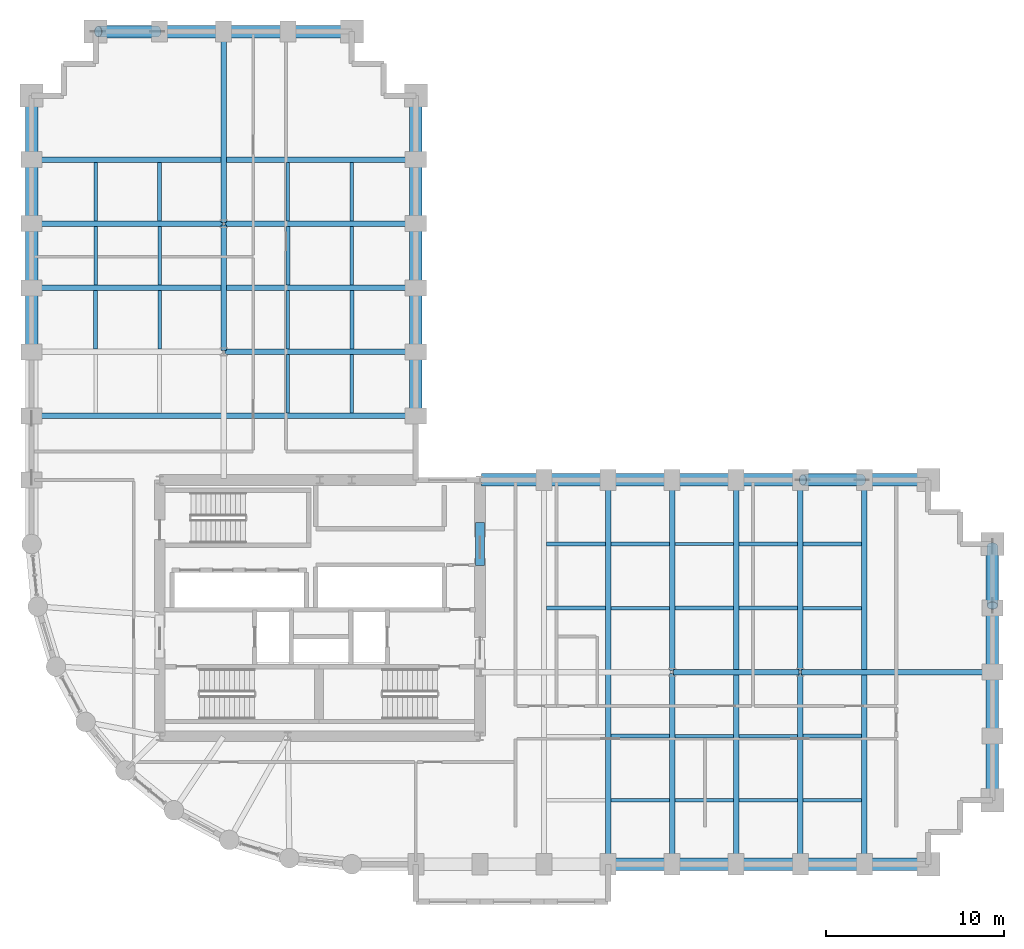
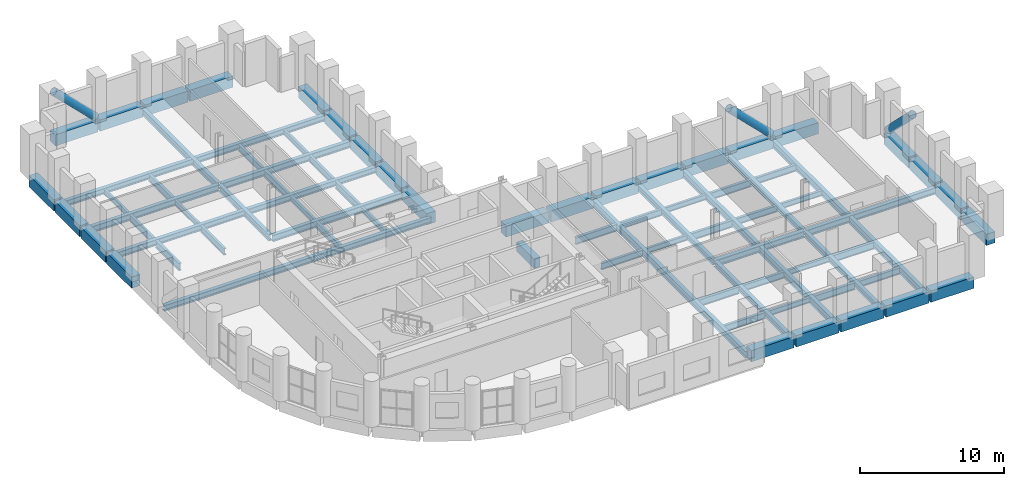
# One storey, part 5 of 12: 79 beams, 3 members.
"""IFC4 building model written with IfcOpenShell, lengths in metres."""

from ifc_helpers import new_model, si_unit, direction, frame, origin, origin_2d, place, context, subcontext, project, spatial, rectangle, hollow_circle, i_section, extrude, material, material_profile, profile_set, type_object, element, save


model = new_model("IFC4")

# Units and contexts
model_context = context("Model", 3, precision=1e-05, world=origin(), true_north=direction((0.0, 1.0)))
body_context = subcontext(model_context, "Body", "Model", "MODEL_VIEW")
ifc_project = project(units=[si_unit("LENGTHUNIT", "METRE"), si_unit("AREAUNIT", "SQUARE_METRE"), si_unit("VOLUMEUNIT", "CUBIC_METRE"), si_unit("PLANEANGLEUNIT", "RADIAN"), si_unit("MASSUNIT", "GRAM", prefix="KILO")], contexts=[model_context])

# Site, building, storey
site_placement = place(None, origin())
site = spatial("IfcSite", under=ifc_project, at=site_placement, CompositionType="ELEMENT")
building_placement = place(site_placement, origin())
building = spatial("IfcBuilding", under=site, at=building_placement, Name="Solnavia Interchange Tower", CompositionType="ELEMENT")
storey_placement = place(building_placement, frame((0.0, 0.0, 27.89990234375)))
storey = spatial("IfcBuildingStorey", under=building, at=storey_placement, Name="L06", CompositionType="ELEMENT", Elevation=27.89990234375)

# Beams
ifc_material_1 = material(Name="Concrete C50/60", Category="concrete")
ifc_material_profile_1 = material_profile(ifc_material_1, rectangle(XDim=0.5, YDim=0.800048828125, at=origin_2d()), Name="RC 500x800")
ifc_profile_set_1 = profile_set([ifc_material_profile_1], Name="Concrete C50/60")
beam_type_1 = type_object("IfcBeamType", Name="Beam-Coupling-RC500x800", PredefinedType="LINTEL", material=ifc_profile_set_1)
beam_1_placement = place(storey_placement, frame((32.39990234375, 20.39990234375, -0.39990234375), z_axis=(0.0, 1.0, 0.0), x_axis=(-1.0, 0.0, 0.0)))
element("IfcBeam", 1, at=beam_1_placement, inside=storey, type_object=beam_type_1, Name="CPB-L06-E2 Core coupling lintel beam", PredefinedType="LINTEL", context=body_context, shape_type="SweptSolid", body=[
    extrude(rectangle(XDim=0.5, YDim=0.800048828125, at=origin_2d()), origin(), (0.0, 0.0, 1.0), 2.400146484375),
])
ifc_material_2 = material(Name="Steel S460", Category="steel")
ifc_material_profile_2 = material_profile(ifc_material_2, i_section(OverallWidth=0.300048828125, OverallDepth=0.550048828125, WebThickness=0.014892578125, FlangeThickness=0.029052734375, FilletRadius=0.027099609375, at=origin_2d()), Name="HEB 550")
ifc_profile_set_2 = profile_set([ifc_material_profile_2], Name="Steel S460")
beam_type_2 = type_object("IfcBeamType", Name="Beam-Girder-HEB550", PredefinedType="BEAM", material=ifc_profile_set_2)
beam_2_placement = place(storey_placement, frame((43.280029296875, 14.39990234375, -0.52490234375), z_axis=(1.0, 0.0, 0.0), x_axis=(0.0, 1.0, 0.0)))
element("IfcBeam", 2, at=beam_2_placement, inside=storey, type_object=beam_type_2, Name="GRD-L06-ES02 East wing spine girder", PredefinedType="BEAM", context=body_context, shape_type="SweptSolid", body=[
    extrude(i_section(OverallWidth=0.300048828125, OverallDepth=0.550048828125, WebThickness=0.014892578125, FlangeThickness=0.029052734375, FilletRadius=0.027099609375, at=origin_2d()), origin(), (0.0, 0.0, 1.0), 7.0400390625),
])
beam_3_placement = place(storey_placement, frame((50.47998046875, 14.39990234375, -0.52490234375), z_axis=(1.0, 0.0, 0.0), x_axis=(0.0, 1.0, 0.0)))
element("IfcBeam", 3, at=beam_3_placement, inside=storey, type_object=beam_type_2, Name="GRD-L06-ES03 East wing spine girder", PredefinedType="BEAM", context=body_context, shape_type="SweptSolid", body=[
    extrude(i_section(OverallWidth=0.300048828125, OverallDepth=0.550048828125, WebThickness=0.014892578125, FlangeThickness=0.029052734375, FilletRadius=0.027099609375, at=origin_2d()), origin(), (0.0, 0.0, 1.0), 10.64013671875),
])
beam_4_placement = place(storey_placement, frame((18.0, 32.47998046875, -0.52490234375), z_axis=(0.0, 1.0, 0.0), x_axis=(-1.0, 0.0, 0.0)))
element("IfcBeam", 4, at=beam_4_placement, inside=storey, type_object=beam_type_2, Name="GRD-L06-NS13 North wing spine girder", PredefinedType="BEAM", context=body_context, shape_type="SweptSolid", body=[
    extrude(i_section(OverallWidth=0.300048828125, OverallDepth=0.550048828125, WebThickness=0.014892578125, FlangeThickness=0.029052734375, FilletRadius=0.027099609375, at=origin_2d()), origin(), (0.0, 0.0, 1.0), 7.0400390625),
])
beam_5_placement = place(storey_placement, frame((18.0, 39.679931640625, -0.52490234375), z_axis=(0.0, 1.0, 0.0), x_axis=(-1.0, 0.0, 0.0)))
element("IfcBeam", 5, at=beam_5_placement, inside=storey, type_object=beam_type_2, Name="GRD-L06-NS14 North wing spine girder", PredefinedType="BEAM", context=body_context, shape_type="SweptSolid", body=[
    extrude(i_section(OverallWidth=0.300048828125, OverallDepth=0.550048828125, WebThickness=0.014892578125, FlangeThickness=0.029052734375, FilletRadius=0.027099609375, at=origin_2d()), origin(), (0.0, 0.0, 1.0), 10.64013671875),
])
for number, where, z_axis, x_axis, name in (
    (6, (18.080078125, 32.39990234375, -0.52490234375), (1.0, 0.0, 0.0), (0.0, 1.0, 0.0), "GRD-L06-NW17 North wing primary floor girder"),
    (7, (7.280029296875, 39.60009765625, -0.52490234375), (1.0, 0.0, 0.0), (0.0, 1.0, 0.0), "GRD-L06-NW19 North wing primary floor girder"),
    (8, (18.080078125, 39.60009765625, -0.52490234375), (1.0, 0.0, 0.0), (0.0, 1.0, 0.0), "GRD-L06-NW20 North wing primary floor girder"),
):
    element("IfcBeam", number, at=place(storey_placement, frame(where, z_axis=z_axis, x_axis=x_axis)), inside=storey, type_object=beam_type_2, Name=name, PredefinedType="BEAM", context=body_context, shape_type="SweptSolid", body=[
        extrude(i_section(OverallWidth=0.300048828125, OverallDepth=0.550048828125, WebThickness=0.014892578125, FlangeThickness=0.029052734375, FilletRadius=0.027099609375, at=origin_2d()), origin(), (0.0, 0.0, 1.0), 10.639892578125),
    ])
ifc_material_3 = material(Name="Steel S355", Category="steel")
ifc_material_profile_3 = material_profile(ifc_material_3, i_section(OverallWidth=0.18994140625, OverallDepth=0.449951171875, WebThickness=0.009521484375, FlangeThickness=0.0146484375, FilletRadius=0.02099609375, at=origin_2d()), Name="IPE 450")
ifc_profile_set_3 = profile_set([ifc_material_profile_3], Name="Steel S355")
beam_type_3 = type_object("IfcBeamType", Name="Beam-Joist-IPE450", PredefinedType="JOIST", material=ifc_profile_set_3)
beam_6_placement = place(storey_placement, frame((43.35009765625, 7.199951171875, -0.474853515625), z_axis=(1.0, 0.0, 0.0), x_axis=(0.0, 1.0, 0.0)))
element("IfcBeam", 9, at=beam_6_placement, inside=storey, type_object=beam_type_3, Name="JST-L06-E03 East wing secondary joist", PredefinedType="JOIST", context=body_context, shape_type="SweptSolid", body=[
    extrude(i_section(OverallWidth=0.18994140625, OverallDepth=0.449951171875, WebThickness=0.009521484375, FlangeThickness=0.0146484375, FilletRadius=0.02099609375, at=origin_2d()), origin(), (0.0, 0.0, 1.0), 3.2998046875),
])
for number, where, z_axis, x_axis, name in (
    (10, (46.949951171875, 10.800048828125, -0.474853515625), (1.0, 0.0, 0.0), (0.0, 1.0, 0.0), "JST-L06-E09 East wing secondary joist"),
    (11, (39.75, 18.0, -0.474853515625), (1.0, 0.0, 0.0), (0.0, 1.0, 0.0), "JST-L06-E12 East wing secondary joist"),
    (12, (50.550048828125, 18.0, -0.474853515625), (1.0, 0.0, 0.0), (0.0, 1.0, 0.0), "JST-L06-E15 East wing secondary joist"),
):
    element("IfcBeam", number, at=place(storey_placement, frame(where, z_axis=z_axis, x_axis=x_axis)), inside=storey, type_object=beam_type_3, Name=name, PredefinedType="JOIST", context=body_context, shape_type="SweptSolid", body=[
        extrude(i_section(OverallWidth=0.18994140625, OverallDepth=0.449951171875, WebThickness=0.009521484375, FlangeThickness=0.0146484375, FilletRadius=0.02099609375, at=origin_2d()), origin(), (0.0, 0.0, 1.0), 3.300048828125),
    ])
beam_7_placement = place(storey_placement, frame((43.35009765625, 21.60009765625, -0.474853515625), z_axis=(1.0, 0.0, 0.0), x_axis=(0.0, 1.0, 0.0)))
element("IfcBeam", 13, at=beam_7_placement, inside=storey, type_object=beam_type_3, Name="JST-L06-E18 East wing secondary joist", PredefinedType="JOIST", context=body_context, shape_type="SweptSolid", body=[
    extrude(i_section(OverallWidth=0.18994140625, OverallDepth=0.449951171875, WebThickness=0.009521484375, FlangeThickness=0.0146484375, FilletRadius=0.02099609375, at=origin_2d()), origin(), (0.0, 0.0, 1.0), 3.2998046875),
])
for number, where, z_axis, x_axis, name in (
    (14, (10.800048828125, 39.75, -0.474853515625), (0.0, 1.0, 0.0), (-1.0, 0.0, 0.0), "JST-L06-N24 North wing secondary joist"),
    (15, (14.39990234375, 36.14990234375, -0.474853515625), (0.0, 1.0, 0.0), (-1.0, 0.0, 0.0), "JST-L06-N27 North wing secondary joist"),
    (16, (21.60009765625, 32.550048828125, -0.474853515625), (0.0, 1.0, 0.0), (-1.0, 0.0, 0.0), "JST-L06-N30 North wing secondary joist"),
    (17, (25.199951171875, 28.949951171875, -0.474853515625), (0.0, 1.0, 0.0), (-1.0, 0.0, 0.0), "JST-L06-N33 North wing secondary joist"),
    (18, (25.199951171875, 39.75, -0.474853515625), (0.0, 1.0, 0.0), (-1.0, 0.0, 0.0), "JST-L06-N36 North wing secondary joist"),
):
    element("IfcBeam", number, at=place(storey_placement, frame(where, z_axis=z_axis, x_axis=x_axis)), inside=storey, type_object=beam_type_3, Name=name, PredefinedType="JOIST", context=body_context, shape_type="SweptSolid", body=[
        extrude(i_section(OverallWidth=0.18994140625, OverallDepth=0.449951171875, WebThickness=0.009521484375, FlangeThickness=0.0146484375, FilletRadius=0.02099609375, at=origin_2d()), origin(), (0.0, 0.0, 1.0), 3.300048828125),
    ])
ifc_material_profile_4 = material_profile(ifc_material_3, i_section(OverallWidth=0.2099609375, OverallDepth=0.550048828125, WebThickness=0.010986328125, FlangeThickness=0.01708984375, FilletRadius=0.02392578125, at=origin_2d()), Name="IPE 550")
ifc_profile_set_4 = profile_set([ifc_material_profile_4], Name="Steel S355")
beam_type_4 = type_object("IfcBeamType", Name="Beam-Joist-IPE550", PredefinedType="JOIST", material=ifc_profile_set_4)
for number, where, z_axis, x_axis, name in (
    (19, (39.75, 7.199951171875, -0.52490234375), (1.0, 0.0, 0.0), (0.0, 1.0, 0.0), "JST-L06-E02 East wing secondary joist"),
    (20, (50.550048828125, 7.199951171875, -0.52490234375), (1.0, 0.0, 0.0), (0.0, 1.0, 0.0), "JST-L06-E05 East wing secondary joist"),
):
    element("IfcBeam", number, at=place(storey_placement, frame(where, z_axis=z_axis, x_axis=x_axis)), inside=storey, type_object=beam_type_4, Name=name, PredefinedType="JOIST", context=body_context, shape_type="SweptSolid", body=[
        extrude(i_section(OverallWidth=0.2099609375, OverallDepth=0.550048828125, WebThickness=0.010986328125, FlangeThickness=0.01708984375, FilletRadius=0.02392578125, at=origin_2d()), origin(), (0.0, 0.0, 1.0), 3.300048828125),
    ])
beam_8_placement = place(storey_placement, frame((43.35009765625, 10.800048828125, -0.52490234375), z_axis=(1.0, 0.0, 0.0), x_axis=(0.0, 1.0, 0.0)))
element("IfcBeam", 21, at=beam_8_placement, inside=storey, type_object=beam_type_4, Name="JST-L06-E08 East wing secondary joist", PredefinedType="JOIST", context=body_context, shape_type="SweptSolid", body=[
    extrude(i_section(OverallWidth=0.2099609375, OverallDepth=0.550048828125, WebThickness=0.010986328125, FlangeThickness=0.01708984375, FilletRadius=0.02392578125, at=origin_2d()), origin(), (0.0, 0.0, 1.0), 3.2998046875),
])
for number, where, z_axis, x_axis, name in (
    (22, (36.14990234375, 18.0, -0.52490234375), (1.0, 0.0, 0.0), (0.0, 1.0, 0.0), "JST-L06-E11 East wing secondary joist"),
    (23, (46.949951171875, 18.0, -0.52490234375), (1.0, 0.0, 0.0), (0.0, 1.0, 0.0), "JST-L06-E14 East wing secondary joist"),
    (24, (39.75, 21.60009765625, -0.52490234375), (1.0, 0.0, 0.0), (0.0, 1.0, 0.0), "JST-L06-E17 East wing secondary joist"),
    (25, (50.550048828125, 21.60009765625, -0.52490234375), (1.0, 0.0, 0.0), (0.0, 1.0, 0.0), "JST-L06-E20 East wing secondary joist"),
    (26, (10.800048828125, 36.14990234375, -0.52490234375), (0.0, 1.0, 0.0), (-1.0, 0.0, 0.0), "JST-L06-N23 North wing secondary joist"),
    (27, (14.39990234375, 32.550048828125, -0.52490234375), (0.0, 1.0, 0.0), (-1.0, 0.0, 0.0), "JST-L06-N26 North wing secondary joist"),
    (28, (21.60009765625, 28.949951171875, -0.52490234375), (0.0, 1.0, 0.0), (-1.0, 0.0, 0.0), "JST-L06-N29 North wing secondary joist"),
    (29, (21.60009765625, 39.75, -0.52490234375), (0.0, 1.0, 0.0), (-1.0, 0.0, 0.0), "JST-L06-N32 North wing secondary joist"),
    (30, (25.199951171875, 36.14990234375, -0.52490234375), (0.0, 1.0, 0.0), (-1.0, 0.0, 0.0), "JST-L06-N35 North wing secondary joist"),
):
    element("IfcBeam", number, at=place(storey_placement, frame(where, z_axis=z_axis, x_axis=x_axis)), inside=storey, type_object=beam_type_4, Name=name, PredefinedType="JOIST", context=body_context, shape_type="SweptSolid", body=[
        extrude(i_section(OverallWidth=0.2099609375, OverallDepth=0.550048828125, WebThickness=0.010986328125, FlangeThickness=0.01708984375, FilletRadius=0.02392578125, at=origin_2d()), origin(), (0.0, 0.0, 1.0), 3.300048828125),
    ])
ifc_material_profile_5 = material_profile(ifc_material_3, i_section(OverallWidth=0.219970703125, OverallDepth=0.60009765625, WebThickness=0.011962890625, FlangeThickness=0.01904296875, FilletRadius=0.02392578125, at=origin_2d()), Name="IPE 600")
ifc_profile_set_5 = profile_set([ifc_material_profile_5], Name="Steel S355")
beam_type_5 = type_object("IfcBeamType", Name="Beam-Joist-IPE600", PredefinedType="JOIST", material=ifc_profile_set_5)
for number, where, z_axis, x_axis, name in (
    (31, (46.949951171875, 7.199951171875, -0.5498046875), (1.0, 0.0, 0.0), (0.0, 1.0, 0.0), "JST-L06-E04 East wing secondary joist"),
    (32, (39.75, 10.800048828125, -0.5498046875), (1.0, 0.0, 0.0), (0.0, 1.0, 0.0), "JST-L06-E07 East wing secondary joist"),
    (33, (50.550048828125, 10.800048828125, -0.5498046875), (1.0, 0.0, 0.0), (0.0, 1.0, 0.0), "JST-L06-E10 East wing secondary joist"),
):
    element("IfcBeam", number, at=place(storey_placement, frame(where, z_axis=z_axis, x_axis=x_axis)), inside=storey, type_object=beam_type_5, Name=name, PredefinedType="JOIST", context=body_context, shape_type="SweptSolid", body=[
        extrude(i_section(OverallWidth=0.219970703125, OverallDepth=0.60009765625, WebThickness=0.011962890625, FlangeThickness=0.01904296875, FilletRadius=0.02392578125, at=origin_2d()), origin(), (0.0, 0.0, 1.0), 3.300048828125),
    ])
beam_9_placement = place(storey_placement, frame((43.35009765625, 18.0, -0.5498046875), z_axis=(1.0, 0.0, 0.0), x_axis=(0.0, 1.0, 0.0)))
element("IfcBeam", 34, at=beam_9_placement, inside=storey, type_object=beam_type_5, Name="JST-L06-E13 East wing secondary joist", PredefinedType="JOIST", context=body_context, shape_type="SweptSolid", body=[
    extrude(i_section(OverallWidth=0.219970703125, OverallDepth=0.60009765625, WebThickness=0.011962890625, FlangeThickness=0.01904296875, FilletRadius=0.02392578125, at=origin_2d()), origin(), (0.0, 0.0, 1.0), 3.2998046875),
])
for number, where, z_axis, x_axis, name in (
    (35, (36.14990234375, 21.60009765625, -0.5498046875), (1.0, 0.0, 0.0), (0.0, 1.0, 0.0), "JST-L06-E16 East wing secondary joist"),
    (36, (46.949951171875, 21.60009765625, -0.5498046875), (1.0, 0.0, 0.0), (0.0, 1.0, 0.0), "JST-L06-E19 East wing secondary joist"),
    (37, (10.800048828125, 32.550048828125, -0.5498046875), (0.0, 1.0, 0.0), (-1.0, 0.0, 0.0), "JST-L06-N22 North wing secondary joist"),
    (38, (14.39990234375, 39.75, -0.5498046875), (0.0, 1.0, 0.0), (-1.0, 0.0, 0.0), "JST-L06-N28 North wing secondary joist"),
    (39, (21.60009765625, 36.14990234375, -0.5498046875), (0.0, 1.0, 0.0), (-1.0, 0.0, 0.0), "JST-L06-N31 North wing secondary joist"),
    (40, (25.199951171875, 32.550048828125, -0.5498046875), (0.0, 1.0, 0.0), (-1.0, 0.0, 0.0), "JST-L06-N34 North wing secondary joist"),
):
    element("IfcBeam", number, at=place(storey_placement, frame(where, z_axis=z_axis, x_axis=x_axis)), inside=storey, type_object=beam_type_5, Name=name, PredefinedType="JOIST", context=body_context, shape_type="SweptSolid", body=[
        extrude(i_section(OverallWidth=0.219970703125, OverallDepth=0.60009765625, WebThickness=0.011962890625, FlangeThickness=0.01904296875, FilletRadius=0.02392578125, at=origin_2d()), origin(), (0.0, 0.0, 1.0), 3.300048828125),
    ])
ifc_material_profile_6 = material_profile(ifc_material_3, i_section(OverallWidth=0.300048828125, OverallDepth=0.489990234375, WebThickness=0.011962890625, FlangeThickness=0.02294921875, FilletRadius=0.027099609375, at=origin_2d()), Name="HEA 500")
ifc_profile_set_6 = profile_set([ifc_material_profile_6], Name="Steel S355")
beam_type_6 = type_object("IfcBeamType", Name="Beam-Primary-HEA500", PredefinedType="BEAM", material=ifc_profile_set_6)
for number, where, z_axis, x_axis, name in (
    (41, (43.199951171875, 3.679931640625, -0.494873046875), (0.0, 1.0, 0.0), (-1.0, 0.0, 0.0), "GRD-L06-EW06 East wing primary floor girder"),
    (42, (43.199951171875, 14.47998046875, -0.494873046875), (0.0, 1.0, 0.0), (-1.0, 0.0, 0.0), "GRD-L06-EW07 East wing primary floor girder"),
    (43, (50.39990234375, 3.679931640625, -0.494873046875), (0.0, 1.0, 0.0), (-1.0, 0.0, 0.0), "GRD-L06-EW09 East wing primary floor girder"),
    (44, (50.39990234375, 14.47998046875, -0.494873046875), (0.0, 1.0, 0.0), (-1.0, 0.0, 0.0), "GRD-L06-EW10 East wing primary floor girder"),
):
    element("IfcBeam", number, at=place(storey_placement, frame(where, z_axis=z_axis, x_axis=x_axis)), inside=storey, type_object=beam_type_6, Name=name, PredefinedType="BEAM", context=body_context, shape_type="SweptSolid", body=[
        extrude(i_section(OverallWidth=0.300048828125, OverallDepth=0.489990234375, WebThickness=0.011962890625, FlangeThickness=0.02294921875, FilletRadius=0.027099609375, at=origin_2d()), origin(), (0.0, 0.0, 1.0), 10.64013671875),
    ])
for number, where, z_axis, x_axis, name in (
    (45, (7.280029296875, 28.800048828125, -0.494873046875), (1.0, 0.0, 0.0), (0.0, 1.0, 0.0), "GRD-L06-NW15 North wing primary floor girder"),
    (46, (7.280029296875, 36.0, -0.494873046875), (1.0, 0.0, 0.0), (0.0, 1.0, 0.0), "GRD-L06-NW18 North wing primary floor girder"),
    (47, (7.280029296875, 43.199951171875, -0.494873046875), (1.0, 0.0, 0.0), (0.0, 1.0, 0.0), "GRD-L06-NW21 North wing primary floor girder"),
):
    element("IfcBeam", number, at=place(storey_placement, frame(where, z_axis=z_axis, x_axis=x_axis)), inside=storey, type_object=beam_type_6, Name=name, PredefinedType="BEAM", context=body_context, shape_type="SweptSolid", body=[
        extrude(i_section(OverallWidth=0.300048828125, OverallDepth=0.489990234375, WebThickness=0.011962890625, FlangeThickness=0.02294921875, FilletRadius=0.027099609375, at=origin_2d()), origin(), (0.0, 0.0, 1.0), 21.43994140625),
    ])
ifc_material_profile_7 = material_profile(ifc_material_3, i_section(OverallWidth=0.300048828125, OverallDepth=0.590087890625, WebThickness=0.012939453125, FlangeThickness=0.02490234375, FilletRadius=0.027099609375, at=origin_2d()), Name="HEA 600")
ifc_profile_set_7 = profile_set([ifc_material_profile_7], Name="Steel S355")
beam_type_7 = type_object("IfcBeamType", Name="Beam-Primary-HEA600", PredefinedType="BEAM", material=ifc_profile_set_7)
for number, where, z_axis, x_axis, name in (
    (48, (39.60009765625, 3.679931640625, -0.544921875), (0.0, 1.0, 0.0), (-1.0, 0.0, 0.0), "GRD-L06-EW05 East wing primary floor girder"),
    (49, (46.800048828125, 3.679931640625, -0.544921875), (0.0, 1.0, 0.0), (-1.0, 0.0, 0.0), "GRD-L06-EW08 East wing primary floor girder"),
    (50, (54.0, 3.679931640625, -0.544921875), (0.0, 1.0, 0.0), (-1.0, 0.0, 0.0), "GRD-L06-EW11 East wing primary floor girder"),
):
    element("IfcBeam", number, at=place(storey_placement, frame(where, z_axis=z_axis, x_axis=x_axis)), inside=storey, type_object=beam_type_7, Name=name, PredefinedType="BEAM", context=body_context, shape_type="SweptSolid", body=[
        extrude(i_section(OverallWidth=0.300048828125, OverallDepth=0.590087890625, WebThickness=0.012939453125, FlangeThickness=0.02490234375, FilletRadius=0.027099609375, at=origin_2d()), origin(), (0.0, 0.0, 1.0), 21.440185546875),
    ])
ifc_material_profile_8 = material_profile(ifc_material_1, rectangle(XDim=0.699951171875, YDim=0.949951171875, at=origin_2d()), Name="RC 700x950")
ifc_profile_set_8 = profile_set([ifc_material_profile_8], Name="Concrete C50/60")
beam_type_8 = type_object("IfcBeamType", Name="Beam-Spandrel-RC700x950", PredefinedType="SPANDREL", material=ifc_profile_set_8)
beam_10_placement = place(storey_placement, frame((39.679931640625, 3.60009765625, -0.474853515625), z_axis=(1.0, 0.0, 0.0), x_axis=(0.0, 1.0, 0.0)))
element("IfcBeam", 51, at=beam_10_placement, inside=storey, type_object=beam_type_8, Name="SPB-L06-13 Framed-tube perimeter spandrel beam", PredefinedType="SPANDREL", context=body_context, shape_type="SweptSolid", body=[
    extrude(rectangle(XDim=0.699951171875, YDim=0.949951171875, at=origin_2d()), origin(), (0.0, 0.0, 1.0), 3.440185546875),
])
beam_11_placement = place(storey_placement, frame((43.280029296875, 3.60009765625, -0.474853515625), z_axis=(1.0, 0.0, 0.0), x_axis=(0.0, 1.0, 0.0)))
element("IfcBeam", 52, at=beam_11_placement, inside=storey, type_object=beam_type_8, Name="SPB-L06-14 Framed-tube perimeter spandrel beam", PredefinedType="SPANDREL", context=body_context, shape_type="SweptSolid", body=[
    extrude(rectangle(XDim=0.699951171875, YDim=0.949951171875, at=origin_2d()), origin(), (0.0, 0.0, 1.0), 3.43994140625),
])
beam_12_placement = place(storey_placement, frame((46.8798828125, 3.60009765625, -0.474853515625), z_axis=(1.0, 0.0, 0.0), x_axis=(0.0, 1.0, 0.0)))
element("IfcBeam", 53, at=beam_12_placement, inside=storey, type_object=beam_type_8, Name="SPB-L06-15 Framed-tube perimeter spandrel beam", PredefinedType="SPANDREL", context=body_context, shape_type="SweptSolid", body=[
    extrude(rectangle(XDim=0.699951171875, YDim=0.949951171875, at=origin_2d()), origin(), (0.0, 0.0, 1.0), 3.440185546875),
])
for number, where, z_axis, x_axis, name in (
    (54, (50.47998046875, 3.60009765625, -0.474853515625), (1.0, 0.0, 0.0), (0.0, 1.0, 0.0), "SPB-L06-16 Framed-tube perimeter spandrel beam"),
    (55, (54.080078125, 3.60009765625, -0.474853515625), (1.0, 0.0, 0.0), (0.0, 1.0, 0.0), "SPB-L06-17 Framed-tube perimeter spandrel beam"),
    (56, (61.199951171875, 7.280029296875, -0.474853515625), (0.0, 1.0, 0.0), (-1.0, 0.0, 0.0), "SPB-L06-18 Framed-tube perimeter spandrel beam"),
):
    element("IfcBeam", number, at=place(storey_placement, frame(where, z_axis=z_axis, x_axis=x_axis)), inside=storey, type_object=beam_type_8, Name=name, PredefinedType="SPANDREL", context=body_context, shape_type="SweptSolid", body=[
        extrude(rectangle(XDim=0.699951171875, YDim=0.949951171875, at=origin_2d()), origin(), (0.0, 0.0, 1.0), 3.43994140625),
    ])
beam_13_placement = place(storey_placement, frame((61.199951171875, 10.8798828125, -0.474853515625), z_axis=(0.0, 1.0, 0.0), x_axis=(-1.0, 0.0, 0.0)))
element("IfcBeam", 57, at=beam_13_placement, inside=storey, type_object=beam_type_8, Name="SPB-L06-19 Framed-tube perimeter spandrel beam", PredefinedType="SPANDREL", context=body_context, shape_type="SweptSolid", body=[
    extrude(rectangle(XDim=0.699951171875, YDim=0.949951171875, at=origin_2d()), origin(), (0.0, 0.0, 1.0), 3.440185546875),
])
for number, where, z_axis, x_axis, name in (
    (58, (61.199951171875, 14.47998046875, -0.474853515625), (0.0, 1.0, 0.0), (-1.0, 0.0, 0.0), "SPB-L06-20 Framed-tube perimeter spandrel beam"),
    (59, (61.199951171875, 18.080078125, -0.474853515625), (0.0, 1.0, 0.0), (-1.0, 0.0, 0.0), "SPB-L06-21 Framed-tube perimeter spandrel beam"),
    (60, (57.52001953125, 25.199951171875, -0.474853515625), (-1.0, 0.0, 0.0), (0.0, -1.0, 0.0), "SPB-L06-22 Framed-tube perimeter spandrel beam"),
    (61, (53.919921875, 25.199951171875, -0.474853515625), (-1.0, 0.0, 0.0), (0.0, -1.0, 0.0), "SPB-L06-23 Framed-tube perimeter spandrel beam"),
):
    element("IfcBeam", number, at=place(storey_placement, frame(where, z_axis=z_axis, x_axis=x_axis)), inside=storey, type_object=beam_type_8, Name=name, PredefinedType="SPANDREL", context=body_context, shape_type="SweptSolid", body=[
        extrude(rectangle(XDim=0.699951171875, YDim=0.949951171875, at=origin_2d()), origin(), (0.0, 0.0, 1.0), 3.43994140625),
    ])
beam_14_placement = place(storey_placement, frame((50.320068359375, 25.199951171875, -0.474853515625), z_axis=(-1.0, 0.0, 0.0), x_axis=(0.0, -1.0, 0.0)))
element("IfcBeam", 62, at=beam_14_placement, inside=storey, type_object=beam_type_8, Name="SPB-L06-24 Framed-tube perimeter spandrel beam", PredefinedType="SPANDREL", context=body_context, shape_type="SweptSolid", body=[
    extrude(rectangle(XDim=0.699951171875, YDim=0.949951171875, at=origin_2d()), origin(), (0.0, 0.0, 1.0), 3.440185546875),
])
beam_15_placement = place(storey_placement, frame((46.719970703125, 25.199951171875, -0.474853515625), z_axis=(-1.0, 0.0, 0.0), x_axis=(0.0, -1.0, 0.0)))
element("IfcBeam", 63, at=beam_15_placement, inside=storey, type_object=beam_type_8, Name="SPB-L06-25 Framed-tube perimeter spandrel beam", PredefinedType="SPANDREL", context=body_context, shape_type="SweptSolid", body=[
    extrude(rectangle(XDim=0.699951171875, YDim=0.949951171875, at=origin_2d()), origin(), (0.0, 0.0, 1.0), 3.43994140625),
])
beam_16_placement = place(storey_placement, frame((43.1201171875, 25.199951171875, -0.474853515625), z_axis=(-1.0, 0.0, 0.0), x_axis=(0.0, -1.0, 0.0)))
element("IfcBeam", 64, at=beam_16_placement, inside=storey, type_object=beam_type_8, Name="SPB-L06-26 Framed-tube perimeter spandrel beam", PredefinedType="SPANDREL", context=body_context, shape_type="SweptSolid", body=[
    extrude(rectangle(XDim=0.699951171875, YDim=0.949951171875, at=origin_2d()), origin(), (0.0, 0.0, 1.0), 3.440185546875),
])
for number, where, z_axis, x_axis, name in (
    (65, (39.52001953125, 25.199951171875, -0.474853515625), (-1.0, 0.0, 0.0), (0.0, -1.0, 0.0), "SPB-L06-27 Framed-tube perimeter spandrel beam"),
    (66, (35.919921875, 25.199951171875, -0.474853515625), (-1.0, 0.0, 0.0), (0.0, -1.0, 0.0), "SPB-L06-28 Framed-tube perimeter spandrel beam"),
):
    element("IfcBeam", number, at=place(storey_placement, frame(where, z_axis=z_axis, x_axis=x_axis)), inside=storey, type_object=beam_type_8, Name=name, PredefinedType="SPANDREL", context=body_context, shape_type="SweptSolid", body=[
        extrude(rectangle(XDim=0.699951171875, YDim=0.949951171875, at=origin_2d()), origin(), (0.0, 0.0, 1.0), 3.43994140625),
    ])
beam_17_placement = place(storey_placement, frame((28.800048828125, 28.8798828125, -0.474853515625), z_axis=(0.0, 1.0, 0.0), x_axis=(-1.0, 0.0, 0.0)))
element("IfcBeam", 67, at=beam_17_placement, inside=storey, type_object=beam_type_8, Name="SPB-L06-29 Framed-tube perimeter spandrel beam", PredefinedType="SPANDREL", context=body_context, shape_type="SweptSolid", body=[
    extrude(rectangle(XDim=0.699951171875, YDim=0.949951171875, at=origin_2d()), origin(), (0.0, 0.0, 1.0), 3.440185546875),
])
for number, where, z_axis, x_axis, name in (
    (68, (28.800048828125, 32.47998046875, -0.474853515625), (0.0, 1.0, 0.0), (-1.0, 0.0, 0.0), "SPB-L06-30 Framed-tube perimeter spandrel beam"),
    (69, (28.800048828125, 36.080078125, -0.474853515625), (0.0, 1.0, 0.0), (-1.0, 0.0, 0.0), "SPB-L06-31 Framed-tube perimeter spandrel beam"),
):
    element("IfcBeam", number, at=place(storey_placement, frame(where, z_axis=z_axis, x_axis=x_axis)), inside=storey, type_object=beam_type_8, Name=name, PredefinedType="SPANDREL", context=body_context, shape_type="SweptSolid", body=[
        extrude(rectangle(XDim=0.699951171875, YDim=0.949951171875, at=origin_2d()), origin(), (0.0, 0.0, 1.0), 3.43994140625),
    ])
beam_18_placement = place(storey_placement, frame((28.800048828125, 39.679931640625, -0.474853515625), z_axis=(0.0, 1.0, 0.0), x_axis=(-1.0, 0.0, 0.0)))
element("IfcBeam", 70, at=beam_18_placement, inside=storey, type_object=beam_type_8, Name="SPB-L06-32 Framed-tube perimeter spandrel beam", PredefinedType="SPANDREL", context=body_context, shape_type="SweptSolid", body=[
    extrude(rectangle(XDim=0.699951171875, YDim=0.949951171875, at=origin_2d()), origin(), (0.0, 0.0, 1.0), 3.440185546875),
])
beam_19_placement = place(storey_placement, frame((28.800048828125, 43.280029296875, -0.474853515625), z_axis=(0.0, 1.0, 0.0), x_axis=(-1.0, 0.0, 0.0)))
element("IfcBeam", 71, at=beam_19_placement, inside=storey, type_object=beam_type_8, Name="SPB-L06-33 Framed-tube perimeter spandrel beam", PredefinedType="SPANDREL", context=body_context, shape_type="SweptSolid", body=[
    extrude(rectangle(XDim=0.699951171875, YDim=0.949951171875, at=origin_2d()), origin(), (0.0, 0.0, 1.0), 3.43994140625),
])
beam_20_placement = place(storey_placement, frame((25.1201171875, 50.39990234375, -0.474853515625), z_axis=(-1.0, 0.0, 0.0), x_axis=(0.0, -1.0, 0.0)))
element("IfcBeam", 72, at=beam_20_placement, inside=storey, type_object=beam_type_8, Name="SPB-L06-34 Framed-tube perimeter spandrel beam", PredefinedType="SPANDREL", context=body_context, shape_type="SweptSolid", body=[
    extrude(rectangle(XDim=0.699951171875, YDim=0.949951171875, at=origin_2d()), origin(), (0.0, 0.0, 1.0), 3.440185546875),
])
for number, where, z_axis, x_axis, name in (
    (73, (21.52001953125, 50.39990234375, -0.474853515625), (-1.0, 0.0, 0.0), (0.0, -1.0, 0.0), "SPB-L06-35 Framed-tube perimeter spandrel beam"),
    (74, (17.919921875, 50.39990234375, -0.474853515625), (-1.0, 0.0, 0.0), (0.0, -1.0, 0.0), "SPB-L06-36 Framed-tube perimeter spandrel beam"),
):
    element("IfcBeam", number, at=place(storey_placement, frame(where, z_axis=z_axis, x_axis=x_axis)), inside=storey, type_object=beam_type_8, Name=name, PredefinedType="SPANDREL", context=body_context, shape_type="SweptSolid", body=[
        extrude(rectangle(XDim=0.699951171875, YDim=0.949951171875, at=origin_2d()), origin(), (0.0, 0.0, 1.0), 3.43994140625),
    ])
beam_21_placement = place(storey_placement, frame((14.320068359375, 50.39990234375, -0.474853515625), z_axis=(-1.0, 0.0, 0.0), x_axis=(0.0, -1.0, 0.0)))
element("IfcBeam", 75, at=beam_21_placement, inside=storey, type_object=beam_type_8, Name="SPB-L06-37 Framed-tube perimeter spandrel beam", PredefinedType="SPANDREL", context=body_context, shape_type="SweptSolid", body=[
    extrude(rectangle(XDim=0.699951171875, YDim=0.949951171875, at=origin_2d()), origin(), (0.0, 0.0, 1.0), 3.440185546875),
])
beam_22_placement = place(storey_placement, frame((7.199951171875, 46.719970703125, -0.474853515625), z_axis=(0.0, -1.0, 0.0), x_axis=(1.0, 0.0, 0.0)))
element("IfcBeam", 76, at=beam_22_placement, inside=storey, type_object=beam_type_8, Name="SPB-L06-38 Framed-tube perimeter spandrel beam", PredefinedType="SPANDREL", context=body_context, shape_type="SweptSolid", body=[
    extrude(rectangle(XDim=0.699951171875, YDim=0.949951171875, at=origin_2d()), origin(), (0.0, 0.0, 1.0), 3.43994140625),
])
beam_23_placement = place(storey_placement, frame((7.199951171875, 43.1201171875, -0.474853515625), z_axis=(0.0, -1.0, 0.0), x_axis=(1.0, 0.0, 0.0)))
element("IfcBeam", 77, at=beam_23_placement, inside=storey, type_object=beam_type_8, Name="SPB-L06-39 Framed-tube perimeter spandrel beam", PredefinedType="SPANDREL", context=body_context, shape_type="SweptSolid", body=[
    extrude(rectangle(XDim=0.699951171875, YDim=0.949951171875, at=origin_2d()), origin(), (0.0, 0.0, 1.0), 3.440185546875),
])
for number, where, z_axis, x_axis, name in (
    (78, (7.199951171875, 39.52001953125, -0.474853515625), (0.0, -1.0, 0.0), (1.0, 0.0, 0.0), "SPB-L06-40 Framed-tube perimeter spandrel beam"),
    (79, (7.199951171875, 35.919921875, -0.474853515625), (0.0, -1.0, 0.0), (1.0, 0.0, 0.0), "SPB-L06-41 Framed-tube perimeter spandrel beam"),
):
    element("IfcBeam", number, at=place(storey_placement, frame(where, z_axis=z_axis, x_axis=x_axis)), inside=storey, type_object=beam_type_8, Name=name, PredefinedType="SPANDREL", context=body_context, shape_type="SweptSolid", body=[
        extrude(rectangle(XDim=0.699951171875, YDim=0.949951171875, at=origin_2d()), origin(), (0.0, 0.0, 1.0), 3.43994140625),
    ])

# Members
ifc_material_profile_9 = material_profile(ifc_material_2, hollow_circle(Radius=0.304931640625, WallThickness=0.02490234375, at=origin_2d()), Name="CHS 610x25")
ifc_profile_set_9 = profile_set([ifc_material_profile_9], Name="Steel S460")
member_type = type_object("IfcMemberType", Name="Brace-Perim-CHS610", PredefinedType="BRACE", material=ifc_profile_set_9)
for number, where, z_axis, x_axis, name in (
    (80, (61.199951171875, 21.4599609375, 0.18017578125), (0.0, -0.710311792477, 0.703887176661), (1.0, 0.0, 0.0), "BRC-L06-02 Perimeter tube diagonal brace"),
    (81, (14.260009765625, 50.39990234375, 0.18017578125), (-0.710311792477, 0.0, 0.703887176661), (0.0, -1.0, 0.0), "BRC-L06-03 Perimeter tube diagonal brace"),
    (82, (53.860107421875, 25.199951171875, 0.18017578125), (-0.710311792477, 0.0, 0.703887176661), (0.0, -1.0, 0.0), "BRC-L06-04 Perimeter tube diagonal brace"),
):
    element("IfcMember", number, at=place(storey_placement, frame(where, z_axis=z_axis, x_axis=x_axis)), inside=storey, type_object=member_type, Name=name, PredefinedType="BRACE", context=body_context, shape_type="SweptSolid", body=[
        extrude(hollow_circle(Radius=0.304931640625, WallThickness=0.02490234375, at=origin_2d()), origin(), (0.0, 0.0, 1.0), 4.674072265625),
    ])

save(model, "model.ifc")
